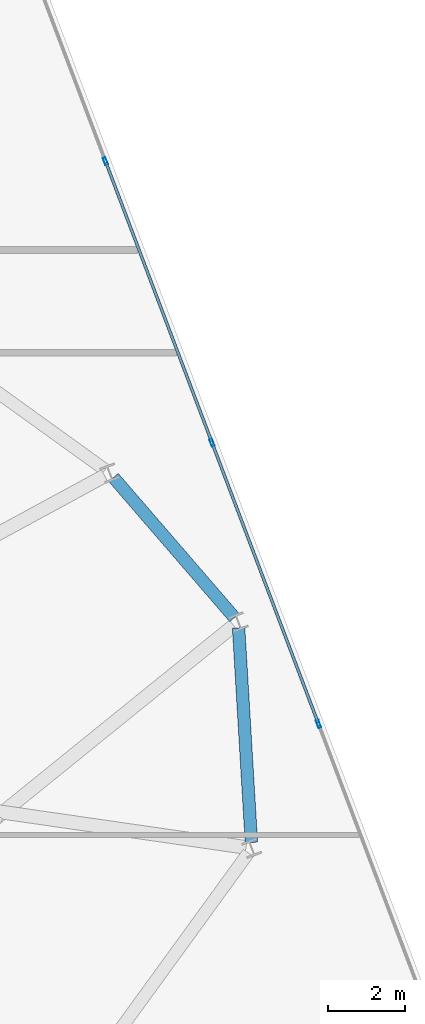
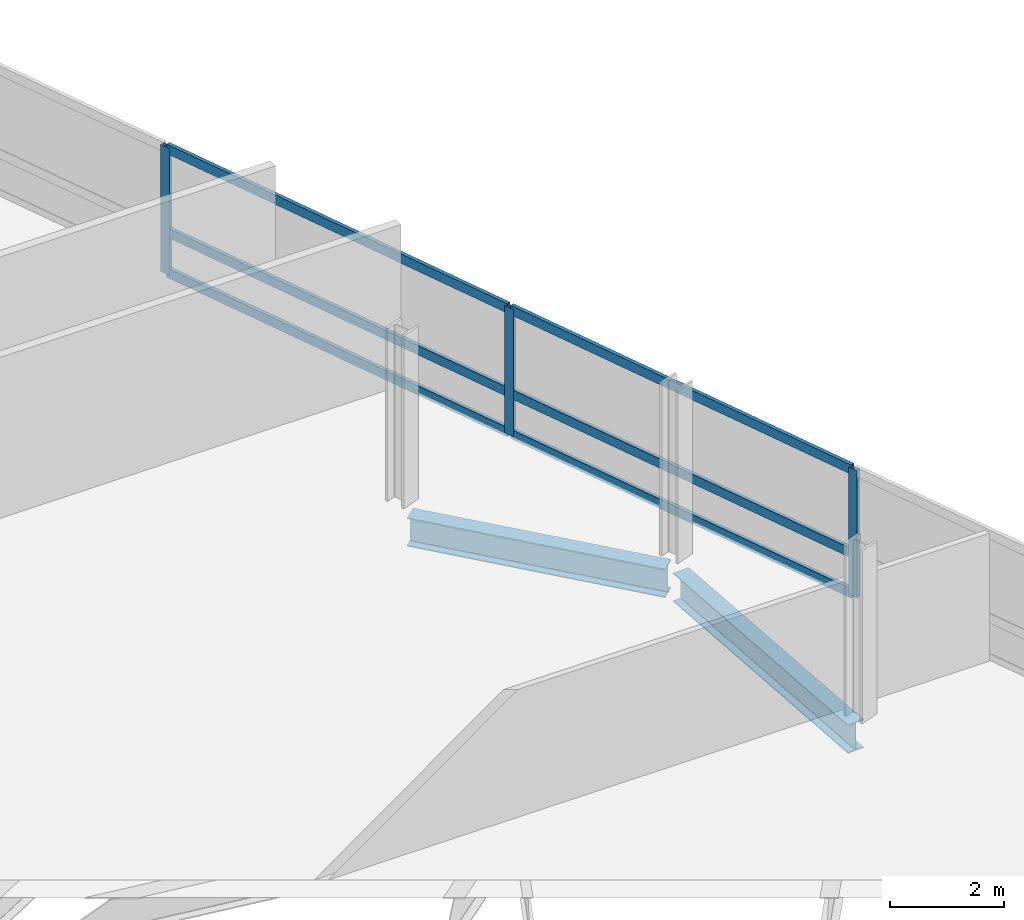
# One storey, part 12 of 20: 9 members, 2 beams, 1 element without a shape of its own.
"""IFC4 building model written with IfcOpenShell, lengths in metres."""

from ifc_helpers import new_model, si_unit, direction, frame, origin, origin_2d, place, context, subcontext, project, spatial, hollow_rectangle, i_section, extrude, material, layer, layer_set, material_profile, profile_set, type_object, element, aggregate, save


model = new_model("IFC4")

# Units and contexts
model_context = context("Model", 3, precision=1e-05, world=origin(), true_north=direction((0.0, 1.0)))
body_context = subcontext(model_context, "Body", "Model", "MODEL_VIEW")
ifc_project = project(units=[si_unit("LENGTHUNIT", "METRE"), si_unit("AREAUNIT", "SQUARE_METRE"), si_unit("VOLUMEUNIT", "CUBIC_METRE"), si_unit("PLANEANGLEUNIT", "RADIAN"), si_unit("MASSUNIT", "GRAM", prefix="KILO")], contexts=[model_context])

# Site, building, storey
site_placement = place(None, origin())
site = spatial("IfcSite", under=ifc_project, at=site_placement, CompositionType="ELEMENT")
building_placement = place(site_placement, origin())
building = spatial("IfcBuilding", under=site, at=building_placement, Name="Varnelok Gate Tower", CompositionType="ELEMENT")
storey_placement = place(building_placement, frame((0.0, 0.0, 238.60009765625)))
storey = spatial("IfcBuildingStorey", under=building, at=storey_placement, Name="L61", CompositionType="ELEMENT", Elevation=238.60009765625)

# Beams
ifc_material_1 = material(Name="Structural Steel ASTM A992 Grade 50", Category="steel")
ifc_material_profile_1 = material_profile(ifc_material_1, i_section(OverallWidth=0.323974609375, OverallDepth=0.611083984375, WebThickness=0.0126953125, FlangeThickness=0.01904296875, FilletRadius=0.01806640625, at=origin_2d()), Name="W24X104")
ifc_profile_set_1 = profile_set([ifc_material_profile_1], Name="Structural Steel ASTM A992 Grade 50")
beam_type = type_object("IfcBeamType", Name="BM-SPN-W24X104", PredefinedType="SPANDREL", material=ifc_profile_set_1)
beam_1_placement = place(storey_placement, frame((71.046142578125, 26.60302734375, -0.5556640625), z_axis=(-0.059494461707, 0.998228635647, 0.0), x_axis=(-0.998228635647, -0.059494461707, 0.0)))
element("IfcBeam", 1, at=beam_1_placement, inside=storey, type_object=beam_type, Name="L61 Perimeter Spandrel Beam 6", PredefinedType="SPANDREL", context=body_context, shape_type="SweptSolid", body=[
    extrude(i_section(OverallWidth=0.323974609375, OverallDepth=0.611083984375, WebThickness=0.0126953125, FlangeThickness=0.01904296875, FilletRadius=0.01806640625, at=origin_2d()), origin(), (0.0, 0.0, 1.0), 5.57666015625),
])
beam_2_placement = place(storey_placement, frame((70.607421875, 32.43310546875, -0.5556640625), z_axis=(-0.653480804386, 0.756943087886, 0.0), x_axis=(-0.756943087886, -0.653480804386, 0.0)))
element("IfcBeam", 2, at=beam_2_placement, inside=storey, type_object=beam_type, Name="L61 Perimeter Spandrel Beam 7", PredefinedType="SPANDREL", context=body_context, shape_type="SweptSolid", body=[
    extrude(i_section(OverallWidth=0.323974609375, OverallDepth=0.611083984375, WebThickness=0.0126953125, FlangeThickness=0.01904296875, FilletRadius=0.01806640625, at=origin_2d()), origin(), (0.0, 0.0, 1.0), 4.799560546875),
])

# Curtain wall, members
ifc_material_2 = material(Name="Anodized Aluminum Alloy 6063-T6", Category="aluminium")
ifc_layer = layer(ifc_material_2, 0.179931640625)
ifc_layer_set = layer_set([ifc_layer], Name="Anodized Aluminum Alloy 6063-T6")
curtain_wall_type = type_object("IfcCurtainWallType", Name="CW4-RESIDENCE-VISION", PredefinedType="USERDEFINED", material=ifc_layer_set)
curtain_wall_placement = place(storey_placement, origin())
curtain_wall = element("IfcCurtainWall", 3, at=curtain_wall_placement, inside=storey, type_object=curtain_wall_type, Name="L61 East End Vision Curtain Wall", ObjectType="UNITISED CURTAIN WALL", PredefinedType="USERDEFINED")
ifc_material_profile_2 = material_profile(ifc_material_2, hollow_rectangle(XDim=0.074951171875, YDim=0.199951171875, WallThickness=0.00390625, at=origin_2d()), Name="ALU200X75X4")
ifc_profile_set_2 = profile_set([ifc_material_profile_2], Name="Anodized Aluminum Alloy 6063-T6")
member_type_1 = type_object("IfcMemberType", Name="CW-MULL-200", PredefinedType="MULLION", material=ifc_profile_set_2)
member_1_placement = place(storey_placement, frame((67.26318359375, 44.2646484375, 0.0), z_axis=(0.0, 0.0, 1.0), x_axis=(0.935221557832, 0.354063042079, 0.0)))
member_1 = element("IfcMember", 4, at=member_1_placement, type_object=member_type_1, Name="CW4 mullion 2", PredefinedType="MULLION", context=body_context, shape_type="SweptSolid", body=[
    extrude(hollow_rectangle(XDim=0.074951171875, YDim=0.199951171875, WallThickness=0.00390625, at=origin_2d()), origin(), (0.0, 0.0, 1.0), 2.72998046875),
])
member_2_placement = place(storey_placement, frame((70.02490234375, 36.969970703125, 0.0), z_axis=(0.0, 0.0, 1.0), x_axis=(0.935221557832, 0.354063042079, 0.0)))
member_2 = element("IfcMember", 5, at=member_2_placement, type_object=member_type_1, Name="CW4 mullion 3", PredefinedType="MULLION", context=body_context, shape_type="SweptSolid", body=[
    extrude(hollow_rectangle(XDim=0.074951171875, YDim=0.199951171875, WallThickness=0.00390625, at=origin_2d()), origin(), (0.0, 0.0, 1.0), 2.72998046875),
])
member_3_placement = place(storey_placement, frame((72.78662109375, 29.675048828125, 0.0), z_axis=(0.0, 0.0, 1.0), x_axis=(0.935221557832, 0.354063042079, 0.0)))
member_3 = element("IfcMember", 6, at=member_3_placement, type_object=member_type_1, Name="CW4 mullion 4", PredefinedType="MULLION", context=body_context, shape_type="SweptSolid", body=[
    extrude(hollow_rectangle(XDim=0.074951171875, YDim=0.199951171875, WallThickness=0.00390625, at=origin_2d()), origin(), (0.0, 0.0, 1.0), 2.72998046875),
])
ifc_material_profile_3 = material_profile(ifc_material_2, hollow_rectangle(XDim=0.074951171875, YDim=0.199951171875, WallThickness=0.00390625, at=origin_2d()), Name="ALU200X75X4")
ifc_profile_set_3 = profile_set([ifc_material_profile_3], Name="Anodized Aluminum Alloy 6063-T6")
member_type_2 = type_object("IfcMemberType", Name="CW-TRAN-200", PredefinedType="USERDEFINED", material=ifc_profile_set_3)
member_4_placement = place(storey_placement, frame((67.2763671875, 44.2294921875, 0.037353515625), z_axis=(0.354086355793, -0.935212731223, 0.0), x_axis=(0.935212731223, 0.354086355793, 0.0)))
member_4 = element("IfcMember", 7, at=member_4_placement, type_object=member_type_2, Name="CW4 transom 2.1", ObjectType="TRANSOM", PredefinedType="USERDEFINED", context=body_context, shape_type="SweptSolid", body=[
    extrude(hollow_rectangle(XDim=0.074951171875, YDim=0.199951171875, WallThickness=0.00390625, at=origin_2d()), origin(), (0.0, 0.0, 1.0), 7.72509765625),
])
member_5_placement = place(storey_placement, frame((67.2763671875, 44.2294921875, 0.89990234375), z_axis=(0.354086355793, -0.935212731223, 0.0), x_axis=(0.935212731223, 0.354086355793, 0.0)))
member_5 = element("IfcMember", 8, at=member_5_placement, type_object=member_type_2, Name="CW4 transom 2.2", ObjectType="TRANSOM", PredefinedType="USERDEFINED", context=body_context, shape_type="SweptSolid", body=[
    extrude(hollow_rectangle(XDim=0.074951171875, YDim=0.199951171875, WallThickness=0.00390625, at=origin_2d()), origin(), (0.0, 0.0, 1.0), 7.72509765625),
])
member_6_placement = place(storey_placement, frame((67.2763671875, 44.2294921875, 2.6923828125), z_axis=(0.354086355793, -0.935212731223, 0.0), x_axis=(0.935212731223, 0.354086355793, 0.0)))
member_6 = element("IfcMember", 9, at=member_6_placement, type_object=member_type_2, Name="CW4 transom 2.3", ObjectType="TRANSOM", PredefinedType="USERDEFINED", context=body_context, shape_type="SweptSolid", body=[
    extrude(hollow_rectangle(XDim=0.074951171875, YDim=0.199951171875, WallThickness=0.00390625, at=origin_2d()), origin(), (0.0, 0.0, 1.0), 7.72509765625),
])
member_7_placement = place(storey_placement, frame((70.0380859375, 36.934814453125, 0.037353515625), z_axis=(0.354086355793, -0.935212731223, 0.0), x_axis=(0.935212731223, 0.354086355793, 0.0)))
member_7 = element("IfcMember", 10, at=member_7_placement, type_object=member_type_2, Name="CW4 transom 3.1", ObjectType="TRANSOM", PredefinedType="USERDEFINED", context=body_context, shape_type="SweptSolid", body=[
    extrude(hollow_rectangle(XDim=0.074951171875, YDim=0.199951171875, WallThickness=0.00390625, at=origin_2d()), origin(), (0.0, 0.0, 1.0), 7.72509765625),
])
member_8_placement = place(storey_placement, frame((70.0380859375, 36.934814453125, 0.89990234375), z_axis=(0.354086355793, -0.935212731223, 0.0), x_axis=(0.935212731223, 0.354086355793, 0.0)))
member_8 = element("IfcMember", 11, at=member_8_placement, type_object=member_type_2, Name="CW4 transom 3.2", ObjectType="TRANSOM", PredefinedType="USERDEFINED", context=body_context, shape_type="SweptSolid", body=[
    extrude(hollow_rectangle(XDim=0.074951171875, YDim=0.199951171875, WallThickness=0.00390625, at=origin_2d()), origin(), (0.0, 0.0, 1.0), 7.72509765625),
])
member_9_placement = place(storey_placement, frame((70.0380859375, 36.934814453125, 2.6923828125), z_axis=(0.354086355793, -0.935212731223, 0.0), x_axis=(0.935212731223, 0.354086355793, 0.0)))
member_9 = element("IfcMember", 12, at=member_9_placement, type_object=member_type_2, Name="CW4 transom 3.3", ObjectType="TRANSOM", PredefinedType="USERDEFINED", context=body_context, shape_type="SweptSolid", body=[
    extrude(hollow_rectangle(XDim=0.074951171875, YDim=0.199951171875, WallThickness=0.00390625, at=origin_2d()), origin(), (0.0, 0.0, 1.0), 7.72509765625),
])
aggregate(curtain_wall, [member_1, member_2, member_3, member_4, member_5, member_6, member_7, member_8, member_9])

save(model, "model.ifc")
